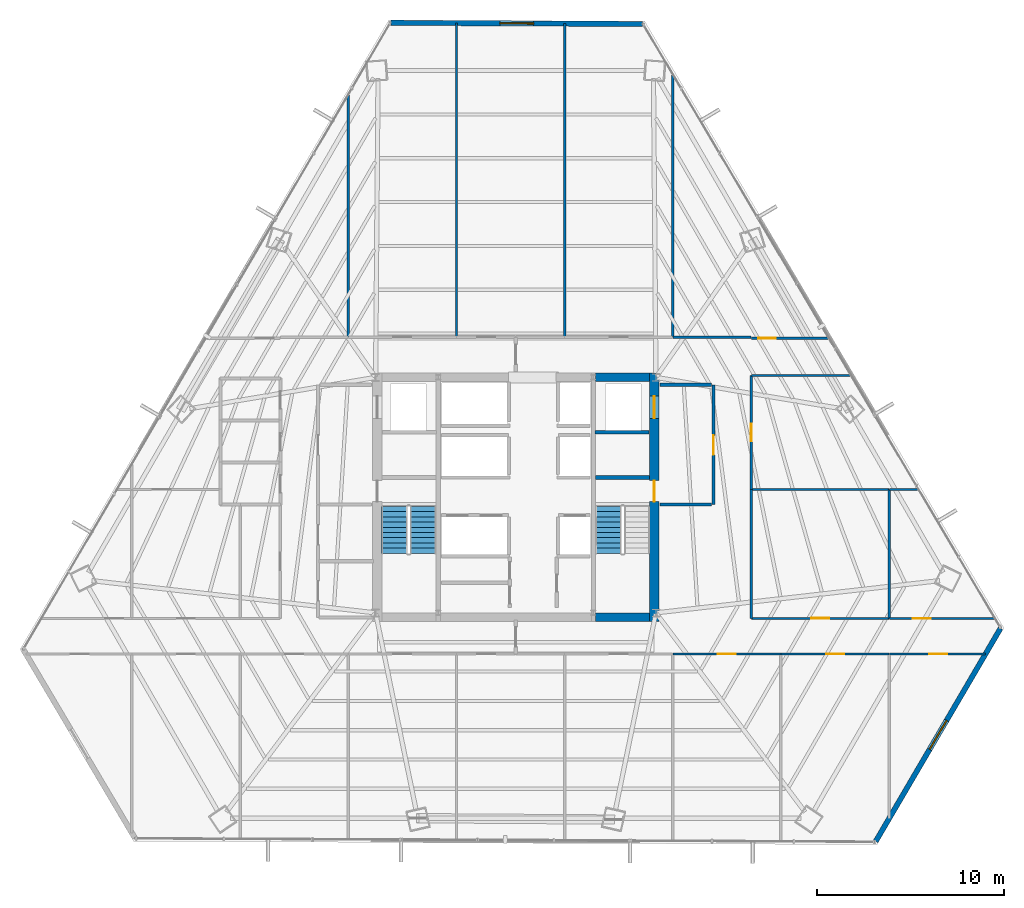
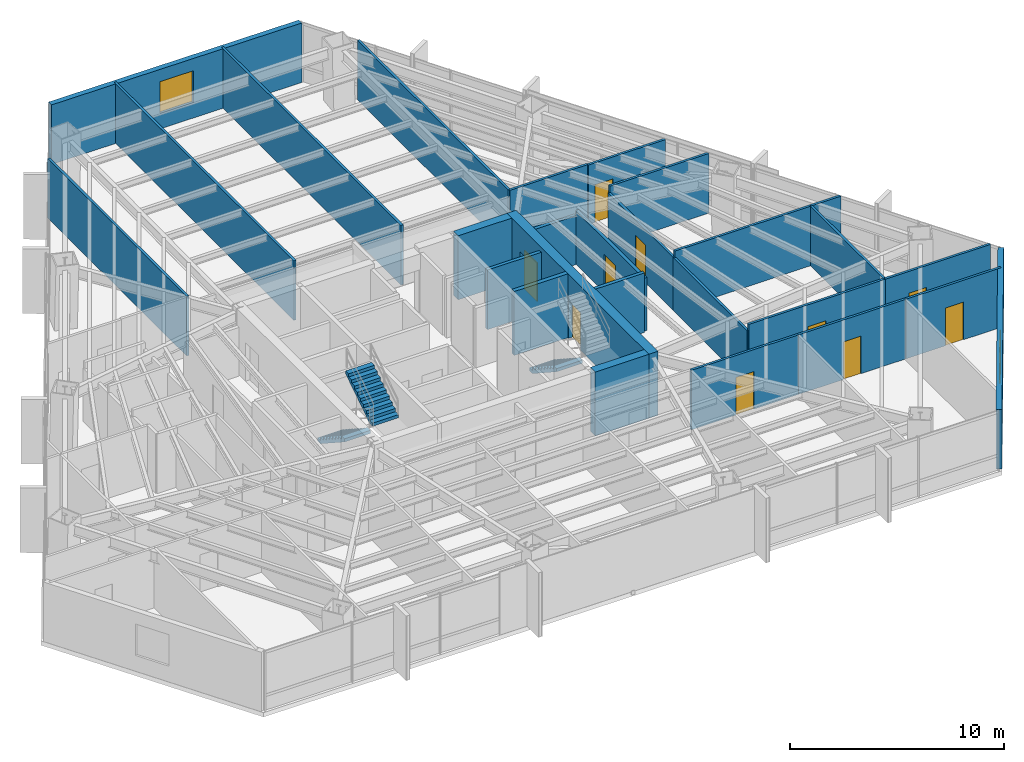
# One storey, part 32 of 37: 27 walls, 10 doors, 3 stair flights, 2 windows, 12 openings, 2 elements without a shape of their own.
"""IFC4 building model written with IfcOpenShell, lengths in metres."""

from ifc_helpers import new_model, si_unit, direction, frame, frame_2d, origin, place, context, subcontext, project, spatial, polyline, rectangle, outline, extrude, material, layer, layer_set, type_object, element, fill, aggregate, save


model = new_model("IFC4")

# Units and contexts
model_context = context("Model", 3, precision=1e-05, world=origin(), true_north=direction((0.0, 1.0)))
body_context = subcontext(model_context, "Body", "Model", "MODEL_VIEW")
ifc_project = project(units=[si_unit("LENGTHUNIT", "METRE"), si_unit("AREAUNIT", "SQUARE_METRE"), si_unit("VOLUMEUNIT", "CUBIC_METRE"), si_unit("PLANEANGLEUNIT", "RADIAN"), si_unit("MASSUNIT", "GRAM", prefix="KILO")], contexts=[model_context])

# Site, building, storey
site_placement = place(None, origin())
site = spatial("IfcSite", under=ifc_project, at=site_placement, CompositionType="ELEMENT")
building_placement = place(site_placement, origin())
building = spatial("IfcBuilding", under=site, at=building_placement, Name="Caelisora Broadcast Tower", CompositionType="ELEMENT")
storey_placement = place(building_placement, frame((0.0, 0.0, 105.39990234375)))
storey = spatial("IfcBuildingStorey", under=building, at=storey_placement, Name="L27", CompositionType="ELEMENT", Elevation=105.39990234375)

# Wall, openings, doors
ifc_material_1 = material(Name="Concrete 50 MPa (AS 3600 S50)", Category="concrete")
ifc_layer_1 = layer(ifc_material_1, 0.5, Name="Concrete 50 MPa (AS 3600 S50)")
ifc_layer_set_1 = layer_set([ifc_layer_1], Name="Concrete 50 MPa (AS 3600 S50)")
wall_type_1 = type_object("IfcWallType", Name="CW2", PredefinedType="SHEAR", material=ifc_layer_set_1)
wall_1_placement = place(storey_placement, frame((45.409912109375, 16.949951171875, 0.0), z_axis=(0.0, 0.0, 1.0), x_axis=(0.0, 1.0, 0.0)))
wall_1 = element("IfcWall", 1, at=wall_1_placement, inside=storey, type_object=wall_type_1, Name="L27 core shear wall CW2", PredefinedType="SHEAR", context=body_context, shape_type="SweptSolid", body=[
    extrude(rectangle(XDim=13.275146484375, YDim=0.5, at=frame_2d((6.6376953125, 0.0))), origin(), (0.0, 0.0, 1.0), 3.650146484375),
])
opening_1_placement = place(wall_1_placement, frame((6.39990234375, 0.0, 0.0)))
opening_1 = element("IfcOpeningElement", 2, at=opening_1_placement, cuts=wall_1, Name="Opening FD04", PredefinedType="OPENING", context=body_context, shape_type="SweptSolid", body=[
    extrude(rectangle(XDim=1.1201171875, YDim=2.14990234375, at=frame_2d((0.56005859375, 1.074951171875))), frame((0.0, 0.261962890625, 0.0), z_axis=(0.0, -1.0, 0.0), x_axis=(1.0, 0.0, 0.0)), (0.0, 0.0, 1.0), 0.52392578125),
])
opening_2_placement = place(wall_1_placement, frame((10.85009765625, 0.0, 0.0)))
opening_2 = element("IfcOpeningElement", 3, at=opening_2_placement, cuts=wall_1, Name="Opening LD04", PredefinedType="OPENING", context=body_context, shape_type="SweptSolid", body=[
    extrude(rectangle(XDim=1.199951171875, YDim=2.199951171875, at=frame_2d((0.60009765625, 1.10009765625))), frame((0.0, 0.261962890625, 0.0), z_axis=(0.0, -1.0, 0.0), x_axis=(1.0, 0.0, 0.0)), (0.0, 0.0, 1.0), 0.52392578125),
])
ifc_material_2 = material(Name="Pressurised Fire-Isolated Stair Door", Category="steel")
door_type_1 = type_object("IfcDoorType", Name="FD04", OperationType="NOTDEFINED", PredefinedType="DOOR", material=ifc_material_2)
door_1_placement = place(opening_1_placement, origin())
door_1 = element("IfcDoor", 4, at=door_1_placement, inside=storey, type_object=door_type_1, Name="L27 door FD04 (L27-DR-ST2)", OperationType="SINGLE_SWING_RIGHT", OverallHeight=2.14990234375, OverallWidth=1.1201171875, PredefinedType="DOOR", context=body_context, shape_type="SweptSolid", body=[
    extrude(rectangle(XDim=1.1201171875, YDim=2.14990234375, at=frame_2d((0.56005859375, 1.074951171875))), frame((0.0, 0.02490234375, 0.0), z_axis=(0.0, -1.0, 0.0), x_axis=(1.0, 0.0, 0.0)), (0.0, 0.0, 1.0), 0.050048828125),
])
fill(opening_1, door_1)
ifc_material_3 = material(Name="Emergency Firefighting Lift Sliding Landing Door", Category="steel")
door_type_2 = type_object("IfcDoorType", Name="LD04", OperationType="NOTDEFINED", PredefinedType="DOOR", material=ifc_material_3)
door_2_placement = place(opening_2_placement, origin())
door_2 = element("IfcDoor", 5, at=door_2_placement, inside=storey, type_object=door_type_2, Name="L27 door LD04 (L27-LD-FFL2)", OperationType="SLIDING_TO_RIGHT", OverallHeight=2.199951171875, OverallWidth=1.199951171875, PredefinedType="DOOR", context=body_context, shape_type="SweptSolid", body=[
    extrude(rectangle(XDim=1.199951171875, YDim=2.199951171875, at=frame_2d((0.60009765625, 1.10009765625))), frame((0.0, 0.02490234375, 0.0), z_axis=(0.0, -1.0, 0.0), x_axis=(1.0, 0.0, 0.0)), (0.0, 0.0, 1.0), 0.050048828125),
])
fill(opening_2, door_2)

# Walls
ifc_layer_2 = layer(ifc_material_1, 0.449951171875, Name="Concrete 50 MPa (AS 3600 S50)")
ifc_layer_set_2 = layer_set([ifc_layer_2], Name="Concrete 50 MPa (AS 3600 S50)")
wall_type_2 = type_object("IfcWallType", Name="CW5", PredefinedType="SHEAR", material=ifc_layer_set_2)
for number, where, z_axis, x_axis, name in (
    (6, (42.260009765625, 17.175048828125, 0.0), (0.0, 0.0, 1.0), (1.0, 0.0, 0.0), "L27 core shear wall CW5"),
    (7, (42.260009765625, 30.0, 0.0), (0.0, 0.0, 1.0), (1.0, 0.0, 0.0), "L27 core shear wall CW5"),
):
    element("IfcWall", number, at=place(storey_placement, frame(where, z_axis=z_axis, x_axis=x_axis)), inside=storey, type_object=wall_type_2, Name=name, PredefinedType="SHEAR", context=body_context, shape_type="SweptSolid", body=[
        extrude(rectangle(XDim=2.89990234375, YDim=0.449951171875, at=frame_2d((1.449951171875, 0.0))), origin(), (0.0, 0.0, 1.0), 3.650146484375),
    ])
ifc_layer_3 = layer(ifc_material_1, 0.219970703125, Name="Concrete 50 MPa (AS 3600 S50)")
ifc_layer_set_3 = layer_set([ifc_layer_3], Name="Concrete 50 MPa (AS 3600 S50)")
wall_type_3 = type_object("IfcWallType", Name="CW7", PredefinedType="SHEAR", material=ifc_layer_set_3)
wall_2_placement = place(storey_placement, frame((42.260009765625, 24.639892578125, 0.0), z_axis=(0.0, 0.0, 1.0), x_axis=(1.0, 0.0, 0.0)))
element("IfcWall", 8, at=wall_2_placement, inside=storey, type_object=wall_type_3, Name="L27 core shear wall CW7", PredefinedType="SHEAR", context=body_context, shape_type="SweptSolid", body=[
    extrude(rectangle(XDim=2.89990234375, YDim=0.219970703125, at=frame_2d((1.449951171875, 0.0))), origin(), (0.0, 0.0, 1.0), 3.650146484375),
])

# Wall, opening, window
ifc_material_4 = material(Name="Insulated Terracotta Spandrel Wall System", Category="masonry")
ifc_layer_4 = layer(ifc_material_4, 0.280029296875, Name="Insulated Terracotta Spandrel Wall System")
ifc_layer_set_4 = layer_set([ifc_layer_4], Name="Insulated Terracotta Spandrel Wall System")
wall_type_4 = type_object("IfcWallType", Name="EW1", PredefinedType="STANDARD", material=ifc_layer_set_4)
wall_3_placement = place(storey_placement, frame((63.935791015625, 16.565185546875, 0.0), z_axis=(0.0, 0.0, 1.0), x_axis=(-0.5054689818, -0.862844776561, 0.0)))
wall_3 = element("IfcWall", 9, at=wall_3_placement, inside=storey, type_object=wall_type_4, Name="L27 exterior envelope wall EW1", PredefinedType="STANDARD", context=body_context, shape_type="SweptSolid", body=[
    extrude(rectangle(XDim=13.20654296875, YDim=0.280029296875, at=frame_2d((6.603271484375, 0.0))), origin(), (0.0, 0.0, 1.0), 3.400146484375),
])
opening_3_placement = place(wall_3_placement, frame((5.699951171875, 0.0, 0.89990234375)))
opening_3 = element("IfcOpeningElement", 10, at=opening_3_placement, cuts=wall_3, Name="Opening W01", PredefinedType="OPENING", context=body_context, shape_type="SweptSolid", body=[
    extrude(rectangle(XDim=1.800048828125, YDim=1.800048828125, at=frame_2d((0.89990234375, 0.89990234375))), frame((0.0, 0.152099609375, 0.0), z_axis=(0.0, -1.0, 0.0), x_axis=(1.0, 0.0, 0.0)), (0.0, 0.0, 1.0), 0.303955078125),
])
ifc_material_5 = material(Name="Double Glazed Terracotta-Framed Vision Window", Category="glass")
window_type = type_object("IfcWindowType", Name="W01", PartitioningType="SINGLE_PANEL", PredefinedType="WINDOW", material=ifc_material_5)
window_1_placement = place(opening_3_placement, origin())
window_1 = element("IfcWindow", 11, at=window_1_placement, inside=storey, type_object=window_type, Name="L27 window W01 (L27-WN-CH0)", OverallHeight=1.800048828125, OverallWidth=1.800048828125, PartitioningType="SINGLE_PANEL", PredefinedType="WINDOW", context=body_context, shape_type="SweptSolid", body=[
    extrude(rectangle(XDim=1.800048828125, YDim=1.800048828125, at=frame_2d((0.89990234375, 0.89990234375))), frame((0.0, 0.030029296875, 0.0), z_axis=(0.0, -1.0, 0.0), x_axis=(1.0, 0.0, 0.0)), (0.0, 0.0, 1.0), 0.06005859375),
])
fill(opening_3, window_1)

wall_4_placement = place(storey_placement, frame((31.322021484375, 48.972900390625, 0.0), z_axis=(0.0, 0.0, 1.0), x_axis=(0.999989143473, -0.004659714066, 0.0)))
wall_4 = element("IfcWall", 12, at=wall_4_placement, inside=storey, type_object=wall_type_4, Name="L27 exterior envelope wall EW1", PredefinedType="STANDARD", context=body_context, shape_type="SweptSolid", body=[
    extrude(rectangle(XDim=13.46533203125, YDim=0.280029296875, at=frame_2d((6.732666015625, 0.0))), origin(), (0.0, 0.0, 1.0), 3.400146484375),
])
opening_4_placement = place(wall_4_placement, frame((5.830078125, 0.0, 0.89990234375)))
opening_4 = element("IfcOpeningElement", 13, at=opening_4_placement, cuts=wall_4, Name="Opening W01", PredefinedType="OPENING", context=body_context, shape_type="SweptSolid", body=[
    extrude(rectangle(XDim=1.800048828125, YDim=1.800048828125, at=frame_2d((0.89990234375, 0.89990234375))), frame((0.0, 0.152099609375, 0.0), z_axis=(0.0, -1.0, 0.0), x_axis=(1.0, 0.0, 0.0)), (0.0, 0.0, 1.0), 0.303955078125),
])
window_2_placement = place(opening_4_placement, origin())
window_2 = element("IfcWindow", 14, at=window_2_placement, inside=storey, type_object=window_type, Name="L27 window W01 (L27-WN-CH8)", OverallHeight=1.800048828125, OverallWidth=1.800048828125, PartitioningType="SINGLE_PANEL", PredefinedType="WINDOW", context=body_context, shape_type="SweptSolid", body=[
    extrude(rectangle(XDim=1.800048828125, YDim=1.800048828125, at=frame_2d((0.89990234375, 0.89990234375))), frame((0.0, 0.030029296875, 0.0), z_axis=(0.0, -1.0, 0.0), x_axis=(1.0, 0.0, 0.0)), (0.0, 0.0, 1.0), 0.06005859375),
])
fill(opening_4, window_2)

# Wall, opening, door
ifc_material_6 = material(Name="Fire-Rated Gypsum Shaft and Compartment Wall", Category="gypsum")
ifc_layer_5 = layer(ifc_material_6, 0.179931640625, Name="Fire-Rated Gypsum Shaft and Compartment Wall")
ifc_layer_set_5 = layer_set([ifc_layer_5], Name="Fire-Rated Gypsum Shaft and Compartment Wall")
wall_type_5 = type_object("IfcWallType", Name="PW2", PredefinedType="PARTITIONING", material=ifc_layer_set_5)
wall_5_placement = place(storey_placement, frame((48.580078125, 23.199951171875, 0.0), z_axis=(0.0, 0.0, 1.0), x_axis=(0.0, 1.0, 0.0)))
wall_5 = element("IfcWall", 15, at=wall_5_placement, inside=storey, type_object=wall_type_5, Name="L27 fire compartment wall PW2", PredefinedType="PARTITIONING", context=body_context, shape_type="SweptSolid", body=[
    extrude(rectangle(XDim=6.400146484375, YDim=0.179931640625, at=frame_2d((3.2001953125, 0.0))), origin(), (0.0, 0.0, 1.0), 3.026611328125),
])
opening_5_placement = place(wall_5_placement, frame((2.64990234375, 0.0, 0.0)))
opening_5 = element("IfcOpeningElement", 16, at=opening_5_placement, cuts=wall_5, Name="Opening FD02", PredefinedType="OPENING", context=body_context, shape_type="SweptSolid", body=[
    extrude(rectangle(XDim=1.050048828125, YDim=2.14990234375, at=frame_2d((0.52490234375, 1.074951171875))), frame((0.0, 0.10205078125, 0.0), z_axis=(0.0, -1.0, 0.0), x_axis=(1.0, 0.0, 0.0)), (0.0, 0.0, 1.0), 0.203857421875),
])
ifc_material_7 = material(Name="Single-Leaf Steel Fire Lobby Door", Category="steel")
door_type_3 = type_object("IfcDoorType", Name="FD02", OperationType="NOTDEFINED", PredefinedType="DOOR", material=ifc_material_7)
door_3_placement = place(opening_5_placement, origin())
door_3 = element("IfcDoor", 17, at=door_3_placement, inside=storey, type_object=door_type_3, Name="L27 door FD02 (L27-DR-P04D1)", OperationType="SINGLE_SWING_RIGHT", OverallHeight=2.14990234375, OverallWidth=1.050048828125, PredefinedType="DOOR", context=body_context, shape_type="SweptSolid", body=[
    extrude(rectangle(XDim=1.050048828125, YDim=2.14990234375, at=frame_2d((0.52490234375, 1.074951171875))), frame((0.0, 0.02490234375, 0.0), z_axis=(0.0, -1.0, 0.0), x_axis=(1.0, 0.0, 0.0)), (0.0, 0.0, 1.0), 0.050048828125),
])
fill(opening_5, door_3)

# Walls
wall_6_placement = place(storey_placement, frame((45.719970703125, 23.199951171875, 0.0), z_axis=(0.0, 0.0, 1.0), x_axis=(1.0, 0.0, 0.0)))
element("IfcWall", 18, at=wall_6_placement, inside=storey, type_object=wall_type_5, Name="L27 fire compartment wall PW2", PredefinedType="PARTITIONING", context=body_context, shape_type="SweptSolid", body=[
    extrude(rectangle(XDim=2.760009765625, YDim=0.179931640625, at=frame_2d((1.3798828125, 0.0))), origin(), (0.0, 0.0, 1.0), 3.400146484375),
])
wall_7_placement = place(storey_placement, frame((45.719970703125, 29.60009765625, 0.0), z_axis=(0.0, 0.0, 1.0), x_axis=(1.0, 0.0, 0.0)))
element("IfcWall", 19, at=wall_7_placement, inside=storey, type_object=wall_type_5, Name="L27 fire compartment wall PW2", PredefinedType="PARTITIONING", context=body_context, shape_type="SweptSolid", body=[
    extrude(rectangle(XDim=2.760009765625, YDim=0.179931640625, at=frame_2d((1.3798828125, 0.0))), origin(), (0.0, 0.0, 1.0), 2.782958984375),
])
wall_8_placement = place(storey_placement, frame((42.239990234375, 27.070068359375, 0.0), z_axis=(0.0, 0.0, 1.0), x_axis=(1.0, 0.0, 0.0)))
element("IfcWall", 20, at=wall_8_placement, inside=storey, type_object=wall_type_5, Name="L27 fire compartment wall PW2", PredefinedType="PARTITIONING", context=body_context, shape_type="SweptSolid", body=[
    extrude(rectangle(XDim=2.89990234375, YDim=0.179931640625, at=frame_2d((1.449951171875, 0.0))), origin(), (0.0, 0.0, 1.0), 3.400146484375),
])
ifc_material_8 = material(Name="Acoustic Steel-Stud Plasterboard Partition", Category="gypsum")
ifc_layer_6 = layer(ifc_material_8, 0.1298828125, Name="Acoustic Steel-Stud Plasterboard Partition")
ifc_layer_set_6 = layer_set([ifc_layer_6], Name="Acoustic Steel-Stud Plasterboard Partition")
wall_type_6 = type_object("IfcWallType", Name="PW3", PredefinedType="PARTITIONING", material=ifc_layer_set_6)
wall_9_placement = place(storey_placement, frame((34.830078125, 32.155029296875, 0.0), z_axis=(0.0, 0.0, 1.0), x_axis=(0.0, 1.0, 0.0)))
element("IfcWall", 21, at=wall_9_placement, inside=storey, type_object=wall_type_6, Name="L27 internal partition PW3", PredefinedType="PARTITIONING", context=body_context, shape_type="SweptSolid", body=[
    extrude(rectangle(XDim=16.80615234375, YDim=0.1298828125, at=frame_2d((8.403076171875, 0.0))), origin(), (0.0, 0.0, 1.0), 3.400146484375),
])
wall_10_placement = place(storey_placement, frame((40.610107421875, 32.155029296875, 0.0), z_axis=(0.0, 0.0, 1.0), x_axis=(0.0, 1.0, 0.0)))
element("IfcWall", 22, at=wall_10_placement, inside=storey, type_object=wall_type_6, Name="L27 internal partition PW3", PredefinedType="PARTITIONING", context=body_context, shape_type="SweptSolid", body=[
    extrude(rectangle(XDim=16.77978515625, YDim=0.1298828125, at=frame_2d((8.389892578125, 0.0))), origin(), (0.0, 0.0, 1.0), 3.400146484375),
])
wall_11_placement = place(storey_placement, frame((46.39990234375, 32.155029296875, 0.0), z_axis=(0.0, 0.0, 1.0), x_axis=(0.0, 1.0, 0.0)))
element("IfcWall", 23, at=wall_11_placement, inside=storey, type_object=wall_type_6, Name="L27 internal partition PW3", PredefinedType="PARTITIONING", context=body_context, shape_type="SweptSolid", body=[
    extrude(rectangle(XDim=14.091552734375, YDim=0.1298828125, at=frame_2d((7.0458984375, 0.0))), origin(), (0.0, 0.0, 1.0), 3.400146484375),
])
wall_12_placement = place(storey_placement, frame((29.0400390625, 32.155029296875, 0.0), z_axis=(0.0, 0.0, 1.0), x_axis=(0.0, 1.0, 0.0)))
element("IfcWall", 24, at=wall_12_placement, inside=storey, type_object=wall_type_6, Name="L27 internal partition PW3", PredefinedType="PARTITIONING", context=body_context, shape_type="SweptSolid", body=[
    extrude(rectangle(XDim=12.98388671875, YDim=0.1298828125, at=frame_2d((6.491943359375, 0.0))), origin(), (0.0, 0.0, 1.0), 3.400146484375),
])

# Wall, opening, door
wall_13_placement = place(storey_placement, frame((57.97509765625, 17.10009765625, 0.0), z_axis=(0.0, 0.0, 1.0), x_axis=(-1.0, 0.0, 0.0)))
wall_13 = element("IfcWall", 25, at=wall_13_placement, inside=storey, type_object=wall_type_6, Name="L27 internal partition PW3", PredefinedType="PARTITIONING", context=body_context, shape_type="SweptSolid", body=[
    extrude(rectangle(XDim=7.3701171875, YDim=0.1298828125, at=frame_2d((3.68505859375, 0.0))), origin(), (0.0, 0.0, 1.0), 3.400146484375),
])
opening_6_placement = place(wall_13_placement, frame((3.205078125, 0.0, 0.0)))
opening_6 = element("IfcOpeningElement", 26, at=opening_6_placement, cuts=wall_13, Name="Opening D01", PredefinedType="OPENING", context=body_context, shape_type="SweptSolid", body=[
    extrude(rectangle(XDim=0.9599609375, YDim=2.14990234375, at=frame_2d((0.47998046875, 1.074951171875))), frame((0.0, 0.076904296875, 0.0), z_axis=(0.0, -1.0, 0.0), x_axis=(1.0, 0.0, 0.0)), (0.0, 0.0, 1.0), 0.15380859375),
])
ifc_material_9 = material(Name="Solid-Core Timber Acoustic Office Door", Category="wood")
door_type_4 = type_object("IfcDoorType", Name="D01", OperationType="NOTDEFINED", PredefinedType="DOOR", material=ifc_material_9)
door_4_placement = place(opening_6_placement, origin())
door_4 = element("IfcDoor", 27, at=door_4_placement, inside=storey, type_object=door_type_4, Name="L27 door D01 (L27-DR-P42D1)", OperationType="SINGLE_SWING_LEFT", OverallHeight=2.14990234375, OverallWidth=0.9599609375, PredefinedType="DOOR", context=body_context, shape_type="SweptSolid", body=[
    extrude(rectangle(XDim=0.9599609375, YDim=2.14990234375, at=frame_2d((0.47998046875, 1.074951171875))), frame((0.0, 0.02490234375, 0.0), z_axis=(0.0, -1.0, 0.0), x_axis=(1.0, 0.0, 0.0)), (0.0, 0.0, 1.0), 0.050048828125),
])
fill(opening_6, door_4)

# Walls
wall_14_placement = place(storey_placement, frame((50.60498046875, 24.0, 0.0), z_axis=(0.0, 0.0, 1.0), x_axis=(1.0, 0.0, 0.0)))
element("IfcWall", 28, at=wall_14_placement, inside=storey, type_object=wall_type_6, Name="L27 internal partition PW3", PredefinedType="PARTITIONING", context=body_context, shape_type="SweptSolid", body=[
    extrude(rectangle(XDim=7.3701171875, YDim=0.1298828125, at=frame_2d((3.68505859375, 0.0))), origin(), (0.0, 0.0, 1.0), 3.400146484375),
])
wall_15_placement = place(storey_placement, frame((50.60009765625, 17.10498046875, 0.0), z_axis=(0.0, 0.0, 1.0), x_axis=(0.0, 1.0, 0.0)))
element("IfcWall", 29, at=wall_15_placement, inside=storey, type_object=wall_type_6, Name="L27 internal partition PW3", PredefinedType="PARTITIONING", context=body_context, shape_type="SweptSolid", body=[
    extrude(rectangle(XDim=6.89013671875, YDim=0.1298828125, at=frame_2d((3.445068359375, 0.0))), origin(), (0.0, 0.0, 1.0), 3.026611328125),
])
wall_16_placement = place(storey_placement, frame((57.97998046875, 17.10498046875, 0.0), z_axis=(0.0, 0.0, 1.0), x_axis=(0.0, 1.0, 0.0)))
element("IfcWall", 30, at=wall_16_placement, inside=storey, type_object=wall_type_6, Name="L27 internal partition PW3", PredefinedType="PARTITIONING", context=body_context, shape_type="SweptSolid", body=[
    extrude(rectangle(XDim=6.89013671875, YDim=0.1298828125, at=frame_2d((3.445068359375, 0.0))), origin(), (0.0, 0.0, 1.0), 3.400146484375),
])

# Wall, opening, door
wall_17_placement = place(storey_placement, frame((50.60009765625, 24.0048828125, 0.0), z_axis=(0.0, 0.0, 1.0), x_axis=(0.0, 1.0, 0.0)))
wall_17 = element("IfcWall", 31, at=wall_17_placement, inside=storey, type_object=wall_type_6, Name="L27 internal partition PW3", PredefinedType="PARTITIONING", context=body_context, shape_type="SweptSolid", body=[
    extrude(rectangle(XDim=6.090087890625, YDim=0.1298828125, at=frame_2d((3.044921875, 0.0))), origin(), (0.0, 0.0, 1.0), 3.026611328125),
])
opening_7_placement = place(wall_17_placement, frame((2.56494140625, 0.0, 0.0)))
opening_7 = element("IfcOpeningElement", 32, at=opening_7_placement, cuts=wall_17, Name="Opening D01", PredefinedType="OPENING", context=body_context, shape_type="SweptSolid", body=[
    extrude(rectangle(XDim=0.9599609375, YDim=2.14990234375, at=frame_2d((0.47998046875, 1.074951171875))), frame((0.0, 0.076904296875, 0.0), z_axis=(0.0, -1.0, 0.0), x_axis=(1.0, 0.0, 0.0)), (0.0, 0.0, 1.0), 0.15380859375),
])
door_5_placement = place(opening_7_placement, origin())
door_5 = element("IfcDoor", 33, at=door_5_placement, inside=storey, type_object=door_type_4, Name="L27 door D01 (L27-DR-P47D1)", OperationType="SINGLE_SWING_RIGHT", OverallHeight=2.14990234375, OverallWidth=0.9599609375, PredefinedType="DOOR", context=body_context, shape_type="SweptSolid", body=[
    extrude(rectangle(XDim=0.9599609375, YDim=2.14990234375, at=frame_2d((0.47998046875, 1.074951171875))), frame((0.0, 0.02490234375, 0.0), z_axis=(0.0, -1.0, 0.0), x_axis=(1.0, 0.0, 0.0)), (0.0, 0.0, 1.0), 0.050048828125),
])
fill(opening_7, door_5)

wall_18_placement = place(storey_placement, frame((57.985107421875, 17.10009765625, 0.0), z_axis=(0.0, 0.0, 1.0), x_axis=(1.0, 0.0, 0.0)))
wall_18 = element("IfcWall", 34, at=wall_18_placement, inside=storey, type_object=wall_type_6, Name="L27 internal partition PW3", PredefinedType="PARTITIONING", context=body_context, shape_type="SweptSolid", body=[
    extrude(rectangle(XDim=5.670166015625, YDim=0.1298828125, at=frame_2d((2.8349609375, 0.0))), origin(), (0.0, 0.0, 1.0), 3.400146484375),
])
opening_8_placement = place(wall_18_placement, frame((1.260009765625, 0.0, 0.0)))
opening_8 = element("IfcOpeningElement", 35, at=opening_8_placement, cuts=wall_18, Name="Opening D01", PredefinedType="OPENING", context=body_context, shape_type="SweptSolid", body=[
    extrude(rectangle(XDim=0.9599609375, YDim=2.14990234375, at=frame_2d((0.47998046875, 1.074951171875))), frame((0.0, 0.076904296875, 0.0), z_axis=(0.0, -1.0, 0.0), x_axis=(1.0, 0.0, 0.0)), (0.0, 0.0, 1.0), 0.15380859375),
])
door_6_placement = place(opening_8_placement, origin())
door_6 = element("IfcDoor", 36, at=door_6_placement, inside=storey, type_object=door_type_4, Name="L27 door D01 (L27-DR-P50D1)", OperationType="SINGLE_SWING_RIGHT", OverallHeight=2.14990234375, OverallWidth=0.9599609375, PredefinedType="DOOR", context=body_context, shape_type="SweptSolid", body=[
    extrude(rectangle(XDim=0.9599609375, YDim=2.14990234375, at=frame_2d((0.47998046875, 1.074951171875))), frame((0.0, 0.02490234375, 0.0), z_axis=(0.0, -1.0, 0.0), x_axis=(1.0, 0.0, 0.0)), (0.0, 0.0, 1.0), 0.050048828125),
])
fill(opening_8, door_6)

wall_19_placement = place(storey_placement, frame((52.195068359375, 15.199951171875, 0.0), z_axis=(0.0, 0.0, 1.0), x_axis=(1.0, 0.0, 0.0)))
wall_19 = element("IfcWall", 37, at=wall_19_placement, inside=storey, type_object=wall_type_6, Name="L27 internal partition PW3", PredefinedType="PARTITIONING", context=body_context, shape_type="SweptSolid", body=[
    extrude(rectangle(XDim=5.780029296875, YDim=0.1298828125, at=frame_2d((2.89013671875, 0.0))), origin(), (0.0, 0.0, 1.0), 3.400146484375),
])
opening_9_placement = place(wall_19_placement, frame((2.409912109375, 0.0, 0.0)))
opening_9 = element("IfcOpeningElement", 38, at=opening_9_placement, cuts=wall_19, Name="Opening D01", PredefinedType="OPENING", context=body_context, shape_type="SweptSolid", body=[
    extrude(rectangle(XDim=0.9599609375, YDim=2.14990234375, at=frame_2d((0.47998046875, 1.074951171875))), frame((0.0, 0.076904296875, 0.0), z_axis=(0.0, -1.0, 0.0), x_axis=(1.0, 0.0, 0.0)), (0.0, 0.0, 1.0), 0.15380859375),
])
door_7_placement = place(opening_9_placement, origin())
door_7 = element("IfcDoor", 39, at=door_7_placement, inside=storey, type_object=door_type_4, Name="L27 door D01 (L27-DR-P58D1)", OperationType="SINGLE_SWING_RIGHT", OverallHeight=2.14990234375, OverallWidth=0.9599609375, PredefinedType="DOOR", context=body_context, shape_type="SweptSolid", body=[
    extrude(rectangle(XDim=0.9599609375, YDim=2.14990234375, at=frame_2d((0.47998046875, 1.074951171875))), frame((0.0, 0.02490234375, 0.0), z_axis=(0.0, -1.0, 0.0), x_axis=(1.0, 0.0, 0.0)), (0.0, 0.0, 1.0), 0.050048828125),
])
fill(opening_9, door_7)

wall_20_placement = place(storey_placement, frame((46.405029296875, 15.199951171875, 0.0), z_axis=(0.0, 0.0, 1.0), x_axis=(1.0, 0.0, 0.0)))
wall_20 = element("IfcWall", 40, at=wall_20_placement, inside=storey, type_object=wall_type_6, Name="L27 internal partition PW3", PredefinedType="PARTITIONING", context=body_context, shape_type="SweptSolid", body=[
    extrude(rectangle(XDim=5.780029296875, YDim=0.1298828125, at=frame_2d((2.89013671875, 0.0))), origin(), (0.0, 0.0, 1.0), 3.400146484375),
])
opening_10_placement = place(wall_20_placement, frame((2.409912109375, 0.0, 0.0)))
opening_10 = element("IfcOpeningElement", 41, at=opening_10_placement, cuts=wall_20, Name="Opening D01", PredefinedType="OPENING", context=body_context, shape_type="SweptSolid", body=[
    extrude(rectangle(XDim=0.9599609375, YDim=2.14990234375, at=frame_2d((0.47998046875, 1.074951171875))), frame((0.0, 0.076904296875, 0.0), z_axis=(0.0, -1.0, 0.0), x_axis=(1.0, 0.0, 0.0)), (0.0, 0.0, 1.0), 0.15380859375),
])
door_8_placement = place(opening_10_placement, origin())
door_8 = element("IfcDoor", 42, at=door_8_placement, inside=storey, type_object=door_type_4, Name="L27 door D01 (L27-DR-P59D1)", OperationType="SINGLE_SWING_LEFT", OverallHeight=2.14990234375, OverallWidth=0.9599609375, PredefinedType="DOOR", context=body_context, shape_type="SweptSolid", body=[
    extrude(rectangle(XDim=0.9599609375, YDim=2.14990234375, at=frame_2d((0.47998046875, 1.074951171875))), frame((0.0, 0.02490234375, 0.0), z_axis=(0.0, -1.0, 0.0), x_axis=(1.0, 0.0, 0.0)), (0.0, 0.0, 1.0), 0.050048828125),
])
fill(opening_10, door_8)

# Wall
wall_21_placement = place(storey_placement, frame((50.60498046875, 30.10009765625, 0.0), z_axis=(0.0, 0.0, 1.0), x_axis=(1.0, 0.0, 0.0)))
element("IfcWall", 43, at=wall_21_placement, inside=storey, type_object=wall_type_6, Name="L27 internal partition PW3", PredefinedType="PARTITIONING", context=body_context, shape_type="SweptSolid", body=[
    extrude(rectangle(XDim=5.35400390625, YDim=0.1298828125, at=frame_2d((2.677001953125, 0.0))), origin(), (0.0, 0.0, 1.0), 3.400146484375),
])

# Wall, opening, door
wall_22_placement = place(storey_placement, frame((57.985107421875, 15.199951171875, 0.0), z_axis=(0.0, 0.0, 1.0), x_axis=(1.0, 0.0, 0.0)))
wall_22 = element("IfcWall", 44, at=wall_22_placement, inside=storey, type_object=wall_type_6, Name="L27 internal partition PW3", PredefinedType="PARTITIONING", context=body_context, shape_type="SweptSolid", body=[
    extrude(rectangle(XDim=5.156982421875, YDim=0.1298828125, at=frame_2d((2.57861328125, 0.0))), origin(), (0.0, 0.0, 1.0), 3.400146484375),
])
opening_11_placement = place(wall_22_placement, frame((2.153076171875, 0.0, 0.0)))
opening_11 = element("IfcOpeningElement", 45, at=opening_11_placement, cuts=wall_22, Name="Opening D01", PredefinedType="OPENING", context=body_context, shape_type="SweptSolid", body=[
    extrude(rectangle(XDim=0.9599609375, YDim=2.14990234375, at=frame_2d((0.47998046875, 1.074951171875))), frame((0.0, 0.076904296875, 0.0), z_axis=(0.0, -1.0, 0.0), x_axis=(1.0, 0.0, 0.0)), (0.0, 0.0, 1.0), 0.15380859375),
])
door_9_placement = place(opening_11_placement, origin())
door_9 = element("IfcDoor", 46, at=door_9_placement, inside=storey, type_object=door_type_4, Name="L27 door D01 (L27-DR-P62D1)", OperationType="SINGLE_SWING_LEFT", OverallHeight=2.14990234375, OverallWidth=0.9599609375, PredefinedType="DOOR", context=body_context, shape_type="SweptSolid", body=[
    extrude(rectangle(XDim=0.9599609375, YDim=2.14990234375, at=frame_2d((0.47998046875, 1.074951171875))), frame((0.0, 0.02490234375, 0.0), z_axis=(0.0, -1.0, 0.0), x_axis=(1.0, 0.0, 0.0)), (0.0, 0.0, 1.0), 0.050048828125),
])
fill(opening_11, door_9)

wall_23_placement = place(storey_placement, frame((50.60498046875, 32.10009765625, 0.0), z_axis=(0.0, 0.0, 1.0), x_axis=(1.0, 0.0, 0.0)))
wall_23 = element("IfcWall", 47, at=wall_23_placement, inside=storey, type_object=wall_type_6, Name="L27 internal partition PW3", PredefinedType="PARTITIONING", context=body_context, shape_type="SweptSolid", body=[
    extrude(rectangle(XDim=4.169921875, YDim=0.1298828125, at=frame_2d((2.0849609375, 0.0))), origin(), (0.0, 0.0, 1.0), 3.400146484375),
])
opening_12_placement = place(wall_23_placement, frame((0.360107421875, 0.0, 0.0)))
opening_12 = element("IfcOpeningElement", 48, at=opening_12_placement, cuts=wall_23, Name="Opening D01", PredefinedType="OPENING", context=body_context, shape_type="SweptSolid", body=[
    extrude(rectangle(XDim=0.9599609375, YDim=2.14990234375, at=frame_2d((0.47998046875, 1.074951171875))), frame((0.0, 0.076904296875, 0.0), z_axis=(0.0, -1.0, 0.0), x_axis=(1.0, 0.0, 0.0)), (0.0, 0.0, 1.0), 0.15380859375),
])
door_10_placement = place(opening_12_placement, origin())
door_10 = element("IfcDoor", 49, at=door_10_placement, inside=storey, type_object=door_type_4, Name="L27 door D01 (L27-DR-P65D1)", OperationType="SINGLE_SWING_RIGHT", OverallHeight=2.14990234375, OverallWidth=0.9599609375, PredefinedType="DOOR", context=body_context, shape_type="SweptSolid", body=[
    extrude(rectangle(XDim=0.9599609375, YDim=2.14990234375, at=frame_2d((0.47998046875, 1.074951171875))), frame((0.0, 0.02490234375, 0.0), z_axis=(0.0, -1.0, 0.0), x_axis=(1.0, 0.0, 0.0)), (0.0, 0.0, 1.0), 0.050048828125),
])
fill(opening_12, door_10)

# Walls
wall_24_placement = place(storey_placement, frame((46.405029296875, 32.14990234375, 0.0), z_axis=(0.0, 0.0, 1.0), x_axis=(1.0, 0.0, 0.0)))
element("IfcWall", 50, at=wall_24_placement, inside=storey, type_object=wall_type_6, Name="L27 internal partition PW3", PredefinedType="PARTITIONING", context=body_context, shape_type="SweptSolid", body=[
    extrude(rectangle(XDim=4.18994140625, YDim=0.1298828125, at=frame_2d((2.094970703125, 0.0))), origin(), (0.0, 0.0, 1.0), 3.400146484375),
])
wall_25_placement = place(storey_placement, frame((57.985107421875, 24.0, 0.0), z_axis=(0.0, 0.0, 1.0), x_axis=(1.0, 0.0, 0.0)))
element("IfcWall", 51, at=wall_25_placement, inside=storey, type_object=wall_type_6, Name="L27 internal partition PW3", PredefinedType="PARTITIONING", context=body_context, shape_type="SweptSolid", body=[
    extrude(rectangle(XDim=1.585205078125, YDim=0.1298828125, at=frame_2d((0.79248046875, 0.0))), origin(), (0.0, 0.0, 1.0), 3.400146484375),
])

# Stair, stair flights
ifc_material_10 = material(Name="Concrete 40 MPa (AS 3600 N40)", Category="concrete")
stair_type_1 = type_object("IfcStairType", Name="ST-1", PredefinedType="HALF_TURN_STAIR", material=ifc_material_10)
stair_1_placement = place(storey_placement, origin())
stair_1 = element("IfcStair", 52, at=stair_1_placement, inside=storey, type_object=stair_type_1, Name="L27 West Fire-Isolated Tower Stair", PredefinedType="HALF_TURN_STAIR")
stair_flight_type = type_object("IfcStairFlightType", Name="STF-2", PredefinedType="STRAIGHT", material=ifc_material_10)
stair_flight_1_placement = place(storey_placement, frame((31.52001953125, 23.10009765625, 0.0), z_axis=(0.0, 0.0, 1.0), x_axis=(0.0, -1.0, 0.0)))
stair_flight_1 = element("IfcStairFlight", 53, at=stair_flight_1_placement, type_object=stair_flight_type, Name="ST-1 flight 1", NumberOfRisers=10, NumberOfTreads=9, PredefinedType="STRAIGHT", RiserHeight=0.1825, TreadLength=0.28, context=body_context, shape_type="SweptSolid", body=[
    extrude(outline(polyline([(0.0, 0.0), (0.0, 0.1826171875), (0.280029296875, 0.1826171875), (0.280029296875, 0.364990234375), (0.56005859375, 0.364990234375), (0.56005859375, 0.547607421875), (0.840087890625, 0.547607421875), (0.840087890625, 0.72998046875), (1.1201171875, 0.72998046875), (1.1201171875, 0.91259765625), (1.39990234375, 0.91259765625), (1.39990234375, 1.094970703125), (1.679931640625, 1.094970703125), (1.679931640625, 1.277587890625), (1.9599609375, 1.277587890625), (1.9599609375, 1.4599609375), (2.239990234375, 1.4599609375), (2.239990234375, 1.642578125), (2.52001953125, 1.642578125), (2.52001953125, 1.824951171875), (2.52001953125, 1.463623046875), (0.2744140625, 0.0), (0.0, 0.0)])), frame((0.0, 0.699951171875, 0.0), z_axis=(0.0, -1.0, 0.0), x_axis=(1.0, 0.0, 0.0)), (0.0, 0.0, 1.0), 1.39990234375),
])
stair_flight_2_placement = place(storey_placement, frame((33.0400390625, 20.580078125, 1.8251953125), z_axis=(0.0, 0.0, 1.0), x_axis=(0.0, 1.0, 0.0)))
stair_flight_2 = element("IfcStairFlight", 54, at=stair_flight_2_placement, type_object=stair_flight_type, Name="ST-1 flight 2", NumberOfRisers=10, NumberOfTreads=9, PredefinedType="STRAIGHT", RiserHeight=0.1825, TreadLength=0.28, context=body_context, shape_type="SweptSolid", body=[
    extrude(outline(polyline([(0.0, 0.0), (0.0, 0.1826171875), (0.280029296875, 0.1826171875), (0.280029296875, 0.364990234375), (0.56005859375, 0.364990234375), (0.56005859375, 0.547607421875), (0.840087890625, 0.547607421875), (0.840087890625, 0.72998046875), (1.1201171875, 0.72998046875), (1.1201171875, 0.91259765625), (1.39990234375, 0.91259765625), (1.39990234375, 1.094970703125), (1.679931640625, 1.094970703125), (1.679931640625, 1.277587890625), (1.9599609375, 1.277587890625), (1.9599609375, 1.4599609375), (2.239990234375, 1.4599609375), (2.239990234375, 1.642578125), (2.52001953125, 1.642578125), (2.52001953125, 1.824951171875), (2.52001953125, 1.463623046875), (0.2744140625, 0.0), (0.0, 0.0)])), frame((0.0, 0.699951171875, 0.0), z_axis=(0.0, -1.0, 0.0), x_axis=(1.0, 0.0, 0.0)), (0.0, 0.0, 1.0), 1.39990234375),
])
aggregate(stair_1, [stair_flight_1, stair_flight_2])

# Stair, stair flight
stair_type_2 = type_object("IfcStairType", Name="ST-2", PredefinedType="HALF_TURN_STAIR", material=ifc_material_10)
stair_2_placement = place(storey_placement, origin())
stair_2 = element("IfcStair", 55, at=stair_2_placement, inside=storey, type_object=stair_type_2, Name="L27 East Fire-Isolated Tower Stair", PredefinedType="HALF_TURN_STAIR")
stair_flight_3_placement = place(storey_placement, frame((42.9599609375, 23.10009765625, 0.0), z_axis=(0.0, 0.0, 1.0), x_axis=(0.0, -1.0, 0.0)))
stair_flight_3 = element("IfcStairFlight", 56, at=stair_flight_3_placement, type_object=stair_flight_type, Name="ST-2 flight 1", NumberOfRisers=10, NumberOfTreads=9, PredefinedType="STRAIGHT", RiserHeight=0.1825, TreadLength=0.28, context=body_context, shape_type="SweptSolid", body=[
    extrude(outline(polyline([(0.0, 0.0), (0.0, 0.1826171875), (0.280029296875, 0.1826171875), (0.280029296875, 0.364990234375), (0.56005859375, 0.364990234375), (0.56005859375, 0.547607421875), (0.840087890625, 0.547607421875), (0.840087890625, 0.72998046875), (1.1201171875, 0.72998046875), (1.1201171875, 0.91259765625), (1.39990234375, 0.91259765625), (1.39990234375, 1.094970703125), (1.679931640625, 1.094970703125), (1.679931640625, 1.277587890625), (1.9599609375, 1.277587890625), (1.9599609375, 1.4599609375), (2.239990234375, 1.4599609375), (2.239990234375, 1.642578125), (2.52001953125, 1.642578125), (2.52001953125, 1.824951171875), (2.52001953125, 1.463623046875), (0.2744140625, 0.0), (0.0, 0.0)])), frame((0.0, 0.699951171875, 0.0), z_axis=(0.0, -1.0, 0.0), x_axis=(1.0, 0.0, 0.0)), (0.0, 0.0, 1.0), 1.39990234375),
])
aggregate(stair_2, [stair_flight_3])

save(model, "model.ifc")
